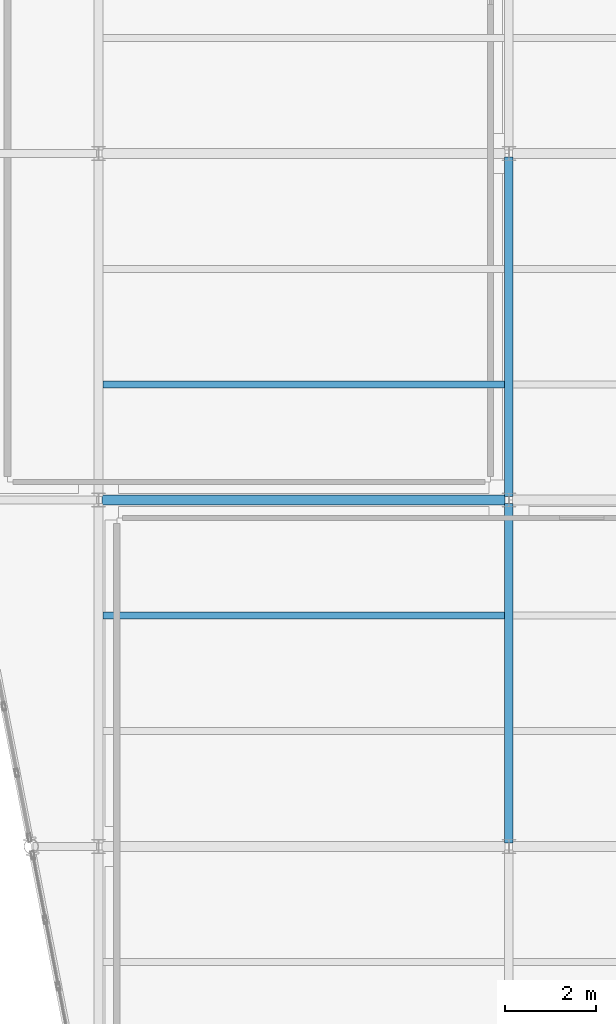
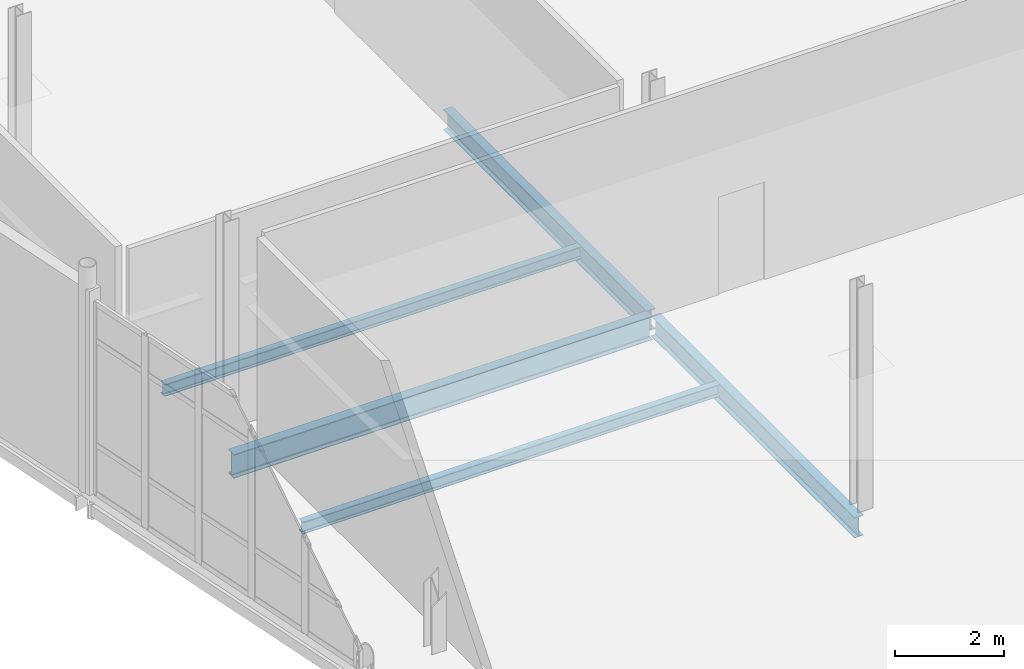
# One storey, part 85 of 161: 5 beams.
"""IFC4 building model written with IfcOpenShell, lengths in metres."""

from ifc_helpers import new_model, si_unit, direction, frame, origin, origin_2d, place, context, subcontext, project, spatial, i_section, extrude, material, material_profile, profile_set, type_object, element, save


model = new_model("IFC4")

# Units and contexts
model_context = context("Model", 3, precision=1e-05, world=origin(), true_north=direction((0.0, 1.0)))
body_context = subcontext(model_context, "Body", "Model", "MODEL_VIEW")
ifc_project = project(units=[si_unit("LENGTHUNIT", "METRE"), si_unit("AREAUNIT", "SQUARE_METRE"), si_unit("VOLUMEUNIT", "CUBIC_METRE"), si_unit("PLANEANGLEUNIT", "RADIAN"), si_unit("MASSUNIT", "GRAM", prefix="KILO")], contexts=[model_context])

# Site, building, storey
site_placement = place(None, origin())
site = spatial("IfcSite", under=ifc_project, at=site_placement, CompositionType="ELEMENT")
building_placement = place(site_placement, origin())
building = spatial("IfcBuilding", under=site, at=building_placement, Name="Caisbarro Railhouse Central Library", CompositionType="ELEMENT")
storey_placement = place(building_placement, origin())
storey = spatial("IfcBuildingStorey", under=building, at=storey_placement, Name="L00", CompositionType="ELEMENT", Elevation=0.0)

# Beams
ifc_material = material(Name="Steel ASTM A572 Grade 50", Category="steel")
ifc_material_profile_1 = material_profile(ifc_material, i_section(OverallWidth=0.208984375, OverallDepth=0.532958984375, WebThickness=0.01025390625, FlangeThickness=0.015625, FilletRadius=0.02001953125, at=origin_2d()), Name="W530X92.0")
ifc_profile_set_1 = profile_set([ifc_material_profile_1], Name="Steel ASTM A572 Grade 50")
beam_type_1 = type_object("IfcBeamType", Name="BM-G06", PredefinedType="BEAM", material=ifc_profile_set_1)
beam_placement = place(storey_placement, frame((117.080078125, 76.0, -0.5166015625), z_axis=(1.0, 0.0, 0.0), x_axis=(0.0, 1.0, 0.0)))
element("IfcBeam", 1, at=beam_placement, inside=storey, type_object=beam_type_1, Name="G06 beam L00 #498", PredefinedType="BEAM", context=body_context, shape_type="SweptSolid", body=[
    extrude(i_section(OverallWidth=0.208984375, OverallDepth=0.532958984375, WebThickness=0.01025390625, FlangeThickness=0.015625, FilletRadius=0.02001953125, at=origin_2d()), origin(), (0.0, 0.0, 1.0), 8.83984375),
])
ifc_material_profile_2 = material_profile(ifc_material, i_section(OverallWidth=0.18994140625, OverallDepth=0.45703125, WebThickness=0.009033203125, FlangeThickness=0.014404296875, FilletRadius=0.01806640625, at=origin_2d()), Name="W460X74.0")
ifc_profile_set_2 = profile_set([ifc_material_profile_2], Name="Steel ASTM A572 Grade 50")
beam_type_2 = type_object("IfcBeamType", Name="BM-G08", PredefinedType="BEAM", material=ifc_profile_set_2)
for number, where, z_axis, x_axis, name in (
    (2, (126.0, 68.47998046875, -0.478515625), (0.0, 1.0, 0.0), (-1.0, 0.0, 0.0), "G08 beam L00 #530"),
    (3, (126.0, 76.080078125, -0.478515625), (0.0, 1.0, 0.0), (-1.0, 0.0, 0.0), "G08 beam L00 #531"),
):
    element("IfcBeam", number, at=place(storey_placement, frame(where, z_axis=z_axis, x_axis=x_axis)), inside=storey, type_object=beam_type_2, Name=name, PredefinedType="BEAM", context=body_context, shape_type="SweptSolid", body=[
        extrude(i_section(OverallWidth=0.18994140625, OverallDepth=0.45703125, WebThickness=0.009033203125, FlangeThickness=0.014404296875, FilletRadius=0.01806640625, at=origin_2d()), origin(), (0.0, 0.0, 1.0), 7.43994140625),
    ])
ifc_material_profile_3 = material_profile(ifc_material, i_section(OverallWidth=0.14794921875, OverallDepth=0.26611328125, WebThickness=0.007568359375, FlangeThickness=0.012939453125, FilletRadius=0.010009765625, at=origin_2d()), Name="W250X44.8")
ifc_profile_set_3 = profile_set([ifc_material_profile_3], Name="Steel ASTM A572 Grade 50")
beam_type_3 = type_object("IfcBeamType", Name="BM-J04", PredefinedType="JOIST", material=ifc_profile_set_3)
for number, where, z_axis, x_axis, name in (
    (4, (117.094970703125, 73.466796875, -0.383056640625), (1.0, 0.0, 0.0), (0.0, 1.0, 0.0), "J04 beam L00 #560"),
    (5, (117.094970703125, 78.533203125, -0.383056640625), (1.0, 0.0, 0.0), (0.0, 1.0, 0.0), "J04 beam L00 #561"),
):
    element("IfcBeam", number, at=place(storey_placement, frame(where, z_axis=z_axis, x_axis=x_axis)), inside=storey, type_object=beam_type_3, Name=name, PredefinedType="JOIST", context=body_context, shape_type="SweptSolid", body=[
        extrude(i_section(OverallWidth=0.14794921875, OverallDepth=0.26611328125, WebThickness=0.007568359375, FlangeThickness=0.012939453125, FilletRadius=0.010009765625, at=origin_2d()), origin(), (0.0, 0.0, 1.0), 8.81005859375),
    ])

save(model, "model.ifc")
